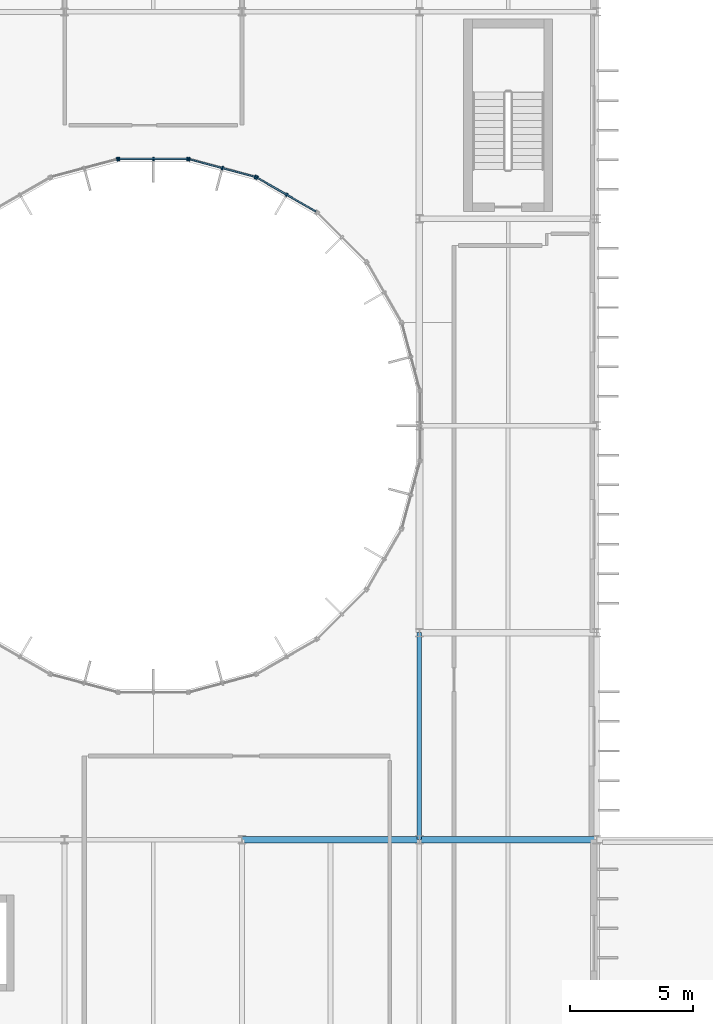
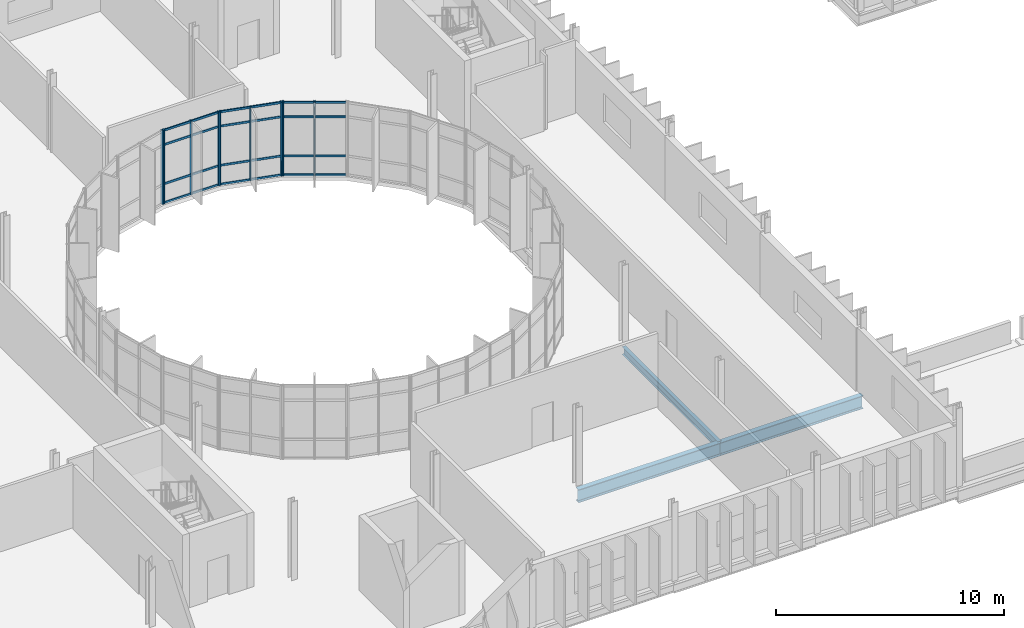
# One storey, part 22 of 61: 21 members, 3 beams, 4 elements without a shape of their own.
"""IFC4 building model written with IfcOpenShell, lengths in metres."""

from ifc_helpers import new_model, si_unit, direction, frame, origin, origin_2d, place, context, subcontext, project, spatial, rectangle, i_section, extrude, material, material_profile, profile_set, type_object, element, aggregate, save


model = new_model("IFC4")

# Units and contexts
model_context = context("Model", 3, precision=1e-05, world=origin(), true_north=direction((0.0, 1.0)))
body_context = subcontext(model_context, "Body", "Model", "MODEL_VIEW")
ifc_project = project(units=[si_unit("LENGTHUNIT", "METRE"), si_unit("AREAUNIT", "SQUARE_METRE"), si_unit("VOLUMEUNIT", "CUBIC_METRE"), si_unit("PLANEANGLEUNIT", "RADIAN"), si_unit("MASSUNIT", "GRAM", prefix="KILO")], contexts=[model_context])

# Site, building, storey
site_placement = place(None, origin())
site = spatial("IfcSite", under=ifc_project, at=site_placement, CompositionType="ELEMENT")
building_placement = place(site_placement, origin())
building = spatial("IfcBuilding", under=site, at=building_placement, Name="Qelthora Terrace Specialist Clinic", CompositionType="ELEMENT")
storey_placement = place(building_placement, frame((0.0, 0.0, 13.199951171875)))
storey = spatial("IfcBuildingStorey", under=building, at=storey_placement, Name="L03", CompositionType="ELEMENT", Elevation=13.199951171875)

# Beams
ifc_material_1 = material(Name="Steel S355", Category="steel")
ifc_material_profile_1 = material_profile(ifc_material_1, i_section(OverallWidth=0.178955078125, OverallDepth=0.409912109375, WebThickness=0.0087890625, FlangeThickness=0.014404296875, FilletRadius=0.011962890625, at=origin_2d()), Name="W410X67")
ifc_profile_set_1 = profile_set([ifc_material_profile_1], Name="Steel S355")
beam_type_1 = type_object("IfcBeamType", Name="BM-W410X67", PredefinedType="BEAM", material=ifc_profile_set_1)
beam_1_placement = place(storey_placement, frame((36.0, 67.199951171875, -0.454833984375), z_axis=(0.0, 1.0, 0.0), x_axis=(-1.0, 0.0, 0.0)))
element("IfcBeam", 1, at=beam_1_placement, inside=storey, type_object=beam_type_1, Name="Girder BMY-L03-1050", PredefinedType="BEAM", context=body_context, shape_type="SweptSolid", body=[
    extrude(i_section(OverallWidth=0.178955078125, OverallDepth=0.409912109375, WebThickness=0.0087890625, FlangeThickness=0.014404296875, FilletRadius=0.011962890625, at=origin_2d()), origin(), (0.0, 0.0, 1.0), 8.400146484375),
])
ifc_material_profile_2 = material_profile(ifc_material_1, i_section(OverallWidth=0.25390625, OverallDepth=0.68798828125, WebThickness=0.01318359375, FlangeThickness=0.02099609375, FilletRadius=0.01806640625, at=origin_2d()), Name="W690X152")
ifc_profile_set_2 = profile_set([ifc_material_profile_2], Name="Steel S355")
beam_type_2 = type_object("IfcBeamType", Name="BM-W690X152", PredefinedType="BEAM", material=ifc_profile_set_2)
beam_2_placement = place(storey_placement, frame((36.0, 67.199951171875, -0.593994140625), z_axis=(1.0, 0.0, 0.0), x_axis=(0.0, 1.0, 0.0)))
element("IfcBeam", 2, at=beam_2_placement, inside=storey, type_object=beam_type_2, Name="Girder BMX-L03-0954", PredefinedType="BEAM", context=body_context, shape_type="SweptSolid", body=[
    extrude(i_section(OverallWidth=0.25390625, OverallDepth=0.68798828125, WebThickness=0.01318359375, FlangeThickness=0.02099609375, FilletRadius=0.01806640625, at=origin_2d()), origin(), (0.0, 0.0, 1.0), 7.199951171875),
])
ifc_material_profile_3 = material_profile(ifc_material_1, i_section(OverallWidth=0.256103515625, OverallDepth=0.693115234375, WebThickness=0.014404296875, FlangeThickness=0.023681640625, FilletRadius=0.01806640625, at=origin_2d()), Name="W690X170")
ifc_profile_set_3 = profile_set([ifc_material_profile_3], Name="Steel S355")
beam_type_3 = type_object("IfcBeamType", Name="BM-W690X170", PredefinedType="BEAM", material=ifc_profile_set_3)
beam_3_placement = place(storey_placement, frame((28.800048828125, 67.199951171875, -0.596435546875), z_axis=(1.0, 0.0, 0.0), x_axis=(0.0, 1.0, 0.0)))
element("IfcBeam", 3, at=beam_3_placement, inside=storey, type_object=beam_type_3, Name="Girder BMX-L03-0953", PredefinedType="BEAM", context=body_context, shape_type="SweptSolid", body=[
    extrude(i_section(OverallWidth=0.256103515625, OverallDepth=0.693115234375, WebThickness=0.014404296875, FlangeThickness=0.023681640625, FilletRadius=0.01806640625, at=origin_2d()), origin(), (0.0, 0.0, 1.0), 7.199951171875),
])

# Curtain wall, members
ifc_material_2 = material(Name="Aluminium anodized bronze", Category="aluminium")
curtain_wall_type = type_object("IfcCurtainWallType", Name="CW-CRTW-UPP", PredefinedType="NOTDEFINED", material=ifc_material_2)
curtain_wall_1_placement = place(storey_placement, origin())
curtain_wall_1 = element("IfcCurtainWall", 4, at=curtain_wall_1_placement, inside=storey, type_object=curtain_wall_type, Name="Curtain wall CW-CW-L03-04", PredefinedType="NOTDEFINED")
ifc_material_profile_4 = material_profile(ifc_material_2, rectangle(XDim=0.06005859375, YDim=0.14990234375, at=origin_2d()), Name="CWM60X150")
ifc_profile_set_4 = profile_set([ifc_material_profile_4], Name="Aluminium anodized bronze")
member_type_1 = type_object("IfcMemberType", Name="CWM-60X150", PredefinedType="MULLION", material=ifc_profile_set_4)
member_1_placement = place(storey_placement, frame((30.61376953125, 93.376953125, 0.0), z_axis=(0.0, 0.0, 1.0), x_axis=(-0.866025635896, 0.499999597971, 0.0)))
member_1 = element("IfcMember", 5, at=member_1_placement, type_object=member_type_1, Name="CW-CW-L03-04 mullion 2", PredefinedType="MULLION", context=body_context, shape_type="SweptSolid", body=[
    extrude(rectangle(XDim=0.06005859375, YDim=0.14990234375, at=origin_2d()), origin(), (0.0, 0.0, 1.0), 3.945068359375),
])
member_2_placement = place(storey_placement, frame((29.410400390625, 94.07177734375, 0.0), z_axis=(0.0, 0.0, 1.0), x_axis=(-0.866025635896, 0.499999597971, 0.0)))
member_2 = element("IfcMember", 6, at=member_2_placement, type_object=member_type_1, Name="CW-CW-L03-04 mullion 3", PredefinedType="MULLION", context=body_context, shape_type="SweptSolid", body=[
    extrude(rectangle(XDim=0.06005859375, YDim=0.14990234375, at=origin_2d()), origin(), (0.0, 0.0, 1.0), 3.945068359375),
])

curtain_wall_2_placement = place(storey_placement, origin())
curtain_wall_2 = element("IfcCurtainWall", 7, at=curtain_wall_2_placement, inside=storey, type_object=curtain_wall_type, Name="Curtain wall CW-CW-L03-05", PredefinedType="NOTDEFINED")
member_3_placement = place(storey_placement, frame((29.3447265625, 94.098876953125, 0.0), z_axis=(0.0, 0.0, 1.0), x_axis=(-0.96592547477, 0.258820356987, 0.0)))
member_3 = element("IfcMember", 8, at=member_3_placement, type_object=member_type_1, Name="CW-CW-L03-05 mullion 1", PredefinedType="MULLION", context=body_context, shape_type="SweptSolid", body=[
    extrude(rectangle(XDim=0.06005859375, YDim=0.14990234375, at=origin_2d()), origin(), (0.0, 0.0, 1.0), 3.945068359375),
])
member_4_placement = place(storey_placement, frame((28.00244140625, 94.458740234375, 0.0), z_axis=(0.0, 0.0, 1.0), x_axis=(-0.96592547477, 0.258820356987, 0.0)))
member_4 = element("IfcMember", 9, at=member_4_placement, type_object=member_type_1, Name="CW-CW-L03-05 mullion 2", PredefinedType="MULLION", context=body_context, shape_type="SweptSolid", body=[
    extrude(rectangle(XDim=0.06005859375, YDim=0.14990234375, at=origin_2d()), origin(), (0.0, 0.0, 1.0), 3.945068359375),
])
member_5_placement = place(storey_placement, frame((26.66015625, 94.818359375, 0.0), z_axis=(0.0, 0.0, 1.0), x_axis=(-0.96592547477, 0.258820356987, 0.0)))
member_5 = element("IfcMember", 10, at=member_5_placement, type_object=member_type_1, Name="CW-CW-L03-05 mullion 3", PredefinedType="MULLION", context=body_context, shape_type="SweptSolid", body=[
    extrude(rectangle(XDim=0.06005859375, YDim=0.14990234375, at=origin_2d()), origin(), (0.0, 0.0, 1.0), 3.945068359375),
])

curtain_wall_3_placement = place(storey_placement, origin())
curtain_wall_3 = element("IfcCurtainWall", 11, at=curtain_wall_3_placement, inside=storey, type_object=curtain_wall_type, Name="Curtain wall CW-CW-L03-06", PredefinedType="NOTDEFINED")
member_6_placement = place(storey_placement, frame((26.589599609375, 94.82763671875, 0.0), z_axis=(0.0, 0.0, 1.0), x_axis=(-1.0, 0.0, 0.0)))
member_6 = element("IfcMember", 12, at=member_6_placement, type_object=member_type_1, Name="CW-CW-L03-06 mullion 1", PredefinedType="MULLION", context=body_context, shape_type="SweptSolid", body=[
    extrude(rectangle(XDim=0.06005859375, YDim=0.14990234375, at=origin_2d()), origin(), (0.0, 0.0, 1.0), 3.945068359375),
])
member_7_placement = place(storey_placement, frame((25.199951171875, 94.82763671875, 0.0), z_axis=(0.0, 0.0, 1.0), x_axis=(-1.0, 0.0, 0.0)))
member_7 = element("IfcMember", 13, at=member_7_placement, type_object=member_type_1, Name="CW-CW-L03-06 mullion 2", PredefinedType="MULLION", context=body_context, shape_type="SweptSolid", body=[
    extrude(rectangle(XDim=0.06005859375, YDim=0.14990234375, at=origin_2d()), origin(), (0.0, 0.0, 1.0), 3.945068359375),
])
member_8_placement = place(storey_placement, frame((23.810302734375, 94.82763671875, 0.0), z_axis=(0.0, 0.0, 1.0), x_axis=(-1.0, 0.0, 0.0)))
member_8 = element("IfcMember", 14, at=member_8_placement, type_object=member_type_1, Name="CW-CW-L03-06 mullion 3", PredefinedType="MULLION", context=body_context, shape_type="SweptSolid", body=[
    extrude(rectangle(XDim=0.06005859375, YDim=0.14990234375, at=origin_2d()), origin(), (0.0, 0.0, 1.0), 3.945068359375),
])

# Curtain wall, member
curtain_wall_4_placement = place(storey_placement, origin())
curtain_wall_4 = element("IfcCurtainWall", 15, at=curtain_wall_4_placement, inside=storey, type_object=curtain_wall_type, Name="Curtain wall CW-CW-L03-07", PredefinedType="NOTDEFINED")
member_9_placement = place(storey_placement, frame((23.739990234375, 94.818359375, 0.0), z_axis=(0.0, 0.0, 1.0), x_axis=(-0.96592547477, -0.258820356987, 0.0)))
member_9 = element("IfcMember", 16, at=member_9_placement, type_object=member_type_1, Name="CW-CW-L03-07 mullion 1", PredefinedType="MULLION", context=body_context, shape_type="SweptSolid", body=[
    extrude(rectangle(XDim=0.06005859375, YDim=0.14990234375, at=origin_2d()), origin(), (0.0, 0.0, 1.0), 3.945068359375),
])
aggregate(curtain_wall_4, [member_9])

# Member
ifc_material_profile_5 = material_profile(ifc_material_2, rectangle(XDim=0.06005859375, YDim=0.110107421875, at=origin_2d()), Name="CWT60X110")
ifc_profile_set_5 = profile_set([ifc_material_profile_5], Name="Aluminium anodized bronze")
member_type_2 = type_object("IfcMemberType", Name="CWT-60X110", PredefinedType="USERDEFINED", material=ifc_profile_set_5)
member_10_placement = place(storey_placement, frame((31.800048828125, 92.692138671875, 0.0400390625), z_axis=(-0.866029747927, 0.499992475648, 0.0), x_axis=(-0.499992475648, -0.866029747927, 0.0)))
member_10 = element("IfcMember", 17, at=member_10_placement, type_object=member_type_2, Name="CW-CW-L03-04 transom 1", ObjectType="TRANSOM", PredefinedType="USERDEFINED", context=body_context, shape_type="SweptSolid", body=[
    extrude(rectangle(XDim=0.06005859375, YDim=0.110107421875, at=origin_2d()), origin(), (0.0, 0.0, 1.0), 2.7392578125),
])

member_11_placement = place(storey_placement, frame((31.800048828125, 92.692138671875, 1.050048828125), z_axis=(-0.866029747927, 0.499992475648, 0.0), x_axis=(-0.499992475648, -0.866029747927, 0.0)))
member_11 = element("IfcMember", 18, at=member_11_placement, type_object=member_type_2, Name="CW-CW-L03-04 transom 2", ObjectType="TRANSOM", PredefinedType="USERDEFINED", context=body_context, shape_type="SweptSolid", body=[
    extrude(rectangle(XDim=0.06005859375, YDim=0.110107421875, at=origin_2d()), origin(), (0.0, 0.0, 1.0), 2.7392578125),
])

member_12_placement = place(storey_placement, frame((31.800048828125, 92.692138671875, 3.14501953125), z_axis=(-0.866029747927, 0.499992475648, 0.0), x_axis=(-0.499992475648, -0.866029747927, 0.0)))
member_12 = element("IfcMember", 19, at=member_12_placement, type_object=member_type_2, Name="CW-CW-L03-04 transom 3", ObjectType="TRANSOM", PredefinedType="USERDEFINED", context=body_context, shape_type="SweptSolid", body=[
    extrude(rectangle(XDim=0.06005859375, YDim=0.110107421875, at=origin_2d()), origin(), (0.0, 0.0, 1.0), 2.7392578125),
])

member_13_placement = place(storey_placement, frame((31.800048828125, 92.692138671875, 3.905029296875), z_axis=(-0.866029747927, 0.499992475648, 0.0), x_axis=(-0.499992475648, -0.866029747927, 0.0)))
member_13 = element("IfcMember", 20, at=member_13_placement, type_object=member_type_2, Name="CW-CW-L03-04 transom 4", ObjectType="TRANSOM", PredefinedType="USERDEFINED", context=body_context, shape_type="SweptSolid", body=[
    extrude(rectangle(XDim=0.06005859375, YDim=0.110107421875, at=origin_2d()), origin(), (0.0, 0.0, 1.0), 2.7392578125),
])

aggregate(curtain_wall_1, [member_1, member_2, member_10, member_11, member_12, member_13])

member_14_placement = place(storey_placement, frame((29.325439453125, 94.104248046875, 0.0400390625), z_axis=(-0.965926569303, 0.258816272122, 0.0), x_axis=(-0.258816272122, -0.965926569303, 0.0)))
member_14 = element("IfcMember", 21, at=member_14_placement, type_object=member_type_2, Name="CW-CW-L03-05 transom 1", ObjectType="TRANSOM", PredefinedType="USERDEFINED", context=body_context, shape_type="SweptSolid", body=[
    extrude(rectangle(XDim=0.06005859375, YDim=0.110107421875, at=origin_2d()), origin(), (0.0, 0.0, 1.0), 2.7392578125),
])

member_15_placement = place(storey_placement, frame((29.325439453125, 94.104248046875, 1.050048828125), z_axis=(-0.965926569303, 0.258816272122, 0.0), x_axis=(-0.258816272122, -0.965926569303, 0.0)))
member_15 = element("IfcMember", 22, at=member_15_placement, type_object=member_type_2, Name="CW-CW-L03-05 transom 2", ObjectType="TRANSOM", PredefinedType="USERDEFINED", context=body_context, shape_type="SweptSolid", body=[
    extrude(rectangle(XDim=0.06005859375, YDim=0.110107421875, at=origin_2d()), origin(), (0.0, 0.0, 1.0), 2.7392578125),
])

member_16_placement = place(storey_placement, frame((29.325439453125, 94.104248046875, 3.14501953125), z_axis=(-0.965926569303, 0.258816272122, 0.0), x_axis=(-0.258816272122, -0.965926569303, 0.0)))
member_16 = element("IfcMember", 23, at=member_16_placement, type_object=member_type_2, Name="CW-CW-L03-05 transom 3", ObjectType="TRANSOM", PredefinedType="USERDEFINED", context=body_context, shape_type="SweptSolid", body=[
    extrude(rectangle(XDim=0.06005859375, YDim=0.110107421875, at=origin_2d()), origin(), (0.0, 0.0, 1.0), 2.7392578125),
])

member_17_placement = place(storey_placement, frame((29.325439453125, 94.104248046875, 3.905029296875), z_axis=(-0.965926569303, 0.258816272122, 0.0), x_axis=(-0.258816272122, -0.965926569303, 0.0)))
member_17 = element("IfcMember", 24, at=member_17_placement, type_object=member_type_2, Name="CW-CW-L03-05 transom 4", ObjectType="TRANSOM", PredefinedType="USERDEFINED", context=body_context, shape_type="SweptSolid", body=[
    extrude(rectangle(XDim=0.06005859375, YDim=0.110107421875, at=origin_2d()), origin(), (0.0, 0.0, 1.0), 2.7392578125),
])

aggregate(curtain_wall_2, [member_3, member_4, member_5, member_14, member_15, member_16, member_17])

member_18_placement = place(storey_placement, frame((26.569580078125, 94.82763671875, 0.0400390625), z_axis=(-1.0, 0.0, 0.0), x_axis=(0.0, -1.0, 0.0)))
member_18 = element("IfcMember", 25, at=member_18_placement, type_object=member_type_2, Name="CW-CW-L03-06 transom 1", ObjectType="TRANSOM", PredefinedType="USERDEFINED", context=body_context, shape_type="SweptSolid", body=[
    extrude(rectangle(XDim=0.06005859375, YDim=0.110107421875, at=origin_2d()), origin(), (0.0, 0.0, 1.0), 2.7392578125),
])

member_19_placement = place(storey_placement, frame((26.569580078125, 94.82763671875, 1.050048828125), z_axis=(-1.0, 0.0, 0.0), x_axis=(0.0, -1.0, 0.0)))
member_19 = element("IfcMember", 26, at=member_19_placement, type_object=member_type_2, Name="CW-CW-L03-06 transom 2", ObjectType="TRANSOM", PredefinedType="USERDEFINED", context=body_context, shape_type="SweptSolid", body=[
    extrude(rectangle(XDim=0.06005859375, YDim=0.110107421875, at=origin_2d()), origin(), (0.0, 0.0, 1.0), 2.7392578125),
])

member_20_placement = place(storey_placement, frame((26.569580078125, 94.82763671875, 3.14501953125), z_axis=(-1.0, 0.0, 0.0), x_axis=(0.0, -1.0, 0.0)))
member_20 = element("IfcMember", 27, at=member_20_placement, type_object=member_type_2, Name="CW-CW-L03-06 transom 3", ObjectType="TRANSOM", PredefinedType="USERDEFINED", context=body_context, shape_type="SweptSolid", body=[
    extrude(rectangle(XDim=0.06005859375, YDim=0.110107421875, at=origin_2d()), origin(), (0.0, 0.0, 1.0), 2.7392578125),
])

member_21_placement = place(storey_placement, frame((26.569580078125, 94.82763671875, 3.905029296875), z_axis=(-1.0, 0.0, 0.0), x_axis=(0.0, -1.0, 0.0)))
member_21 = element("IfcMember", 28, at=member_21_placement, type_object=member_type_2, Name="CW-CW-L03-06 transom 4", ObjectType="TRANSOM", PredefinedType="USERDEFINED", context=body_context, shape_type="SweptSolid", body=[
    extrude(rectangle(XDim=0.06005859375, YDim=0.110107421875, at=origin_2d()), origin(), (0.0, 0.0, 1.0), 2.7392578125),
])

aggregate(curtain_wall_3, [member_6, member_7, member_8, member_18, member_19, member_20, member_21])

save(model, "model.ifc")
